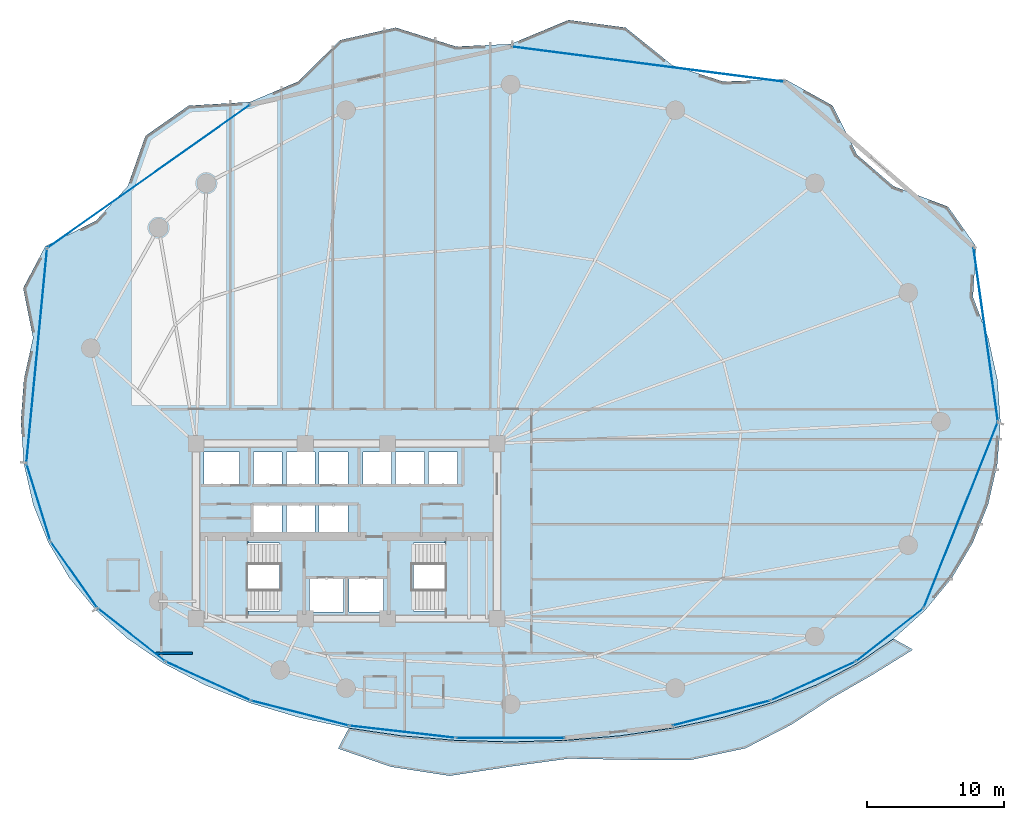
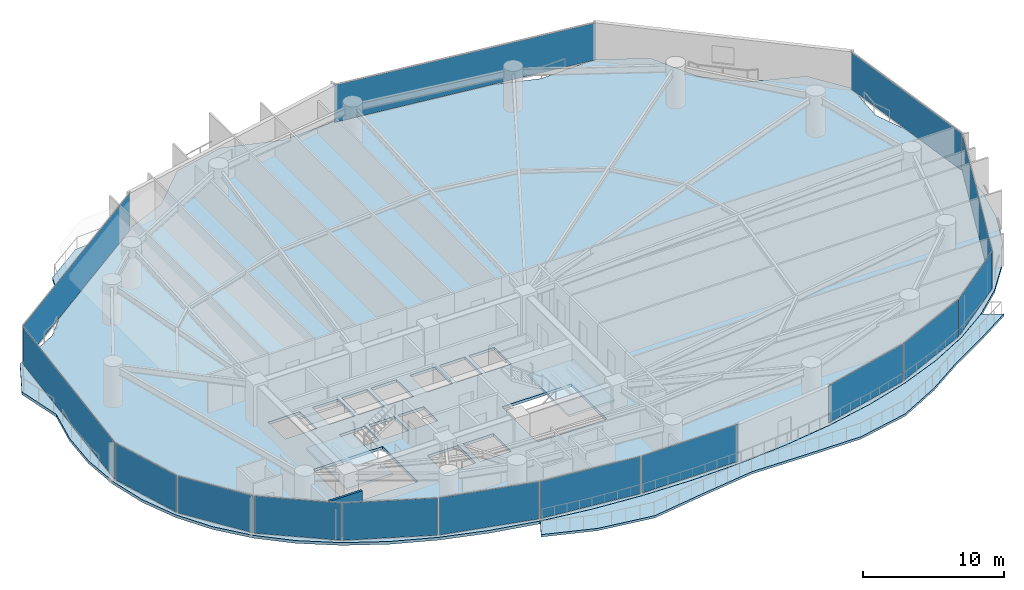
# One storey, part 24 of 32: 15 plates, 4 slabs, 1 wall, 17 elements without a shape of their own.
"""IFC4 building model written with IfcOpenShell, lengths in metres."""

from ifc_helpers import new_model, si_unit, direction, frame, frame_2d, origin, origin_2d, place, context, subcontext, project, spatial, polyline, rectangle, outline, extrude, material, layer, layer_set, type_object, element, aggregate, save


model = new_model("IFC4")

# Units and contexts
model_context = context("Model", 3, precision=1e-05, world=origin(), true_north=direction((0.0, 1.0)))
body_context = subcontext(model_context, "Body", "Model", "MODEL_VIEW")
ifc_project = project(units=[si_unit("LENGTHUNIT", "METRE"), si_unit("AREAUNIT", "SQUARE_METRE"), si_unit("VOLUMEUNIT", "CUBIC_METRE"), si_unit("PLANEANGLEUNIT", "RADIAN"), si_unit("MASSUNIT", "GRAM", prefix="KILO")], contexts=[model_context])

# Site, building, storey
site_placement = place(None, origin())
site = spatial("IfcSite", under=ifc_project, at=site_placement, CompositionType="ELEMENT")
building_placement = place(site_placement, origin())
building = spatial("IfcBuilding", under=site, at=building_placement, Name="Kazevale Care Tower and Concert Hall", CompositionType="ELEMENT")
storey_placement = place(building_placement, frame((0.0, 0.0, 42.0)))
storey = spatial("IfcBuildingStorey", under=building, at=storey_placement, Name="L10", CompositionType="ELEMENT", Elevation=42.0)

# Curtain wall, plate
ifc_material_1 = material(Name="Aluminium 6063-T6 and Low-E Glass", Category="aluminium")
ifc_layer_1 = layer(ifc_material_1, 0.179931640625)
ifc_layer_set_1 = layer_set([ifc_layer_1], Name="Aluminium 6063-T6 and Low-E Glass")
curtain_wall_type_1 = type_object("IfcCurtainWallType", Name="Convex Recessed Sunroom Curtain Wall CW-3", PredefinedType="NOTDEFINED", material=ifc_layer_set_1)
curtain_wall_1_placement = place(storey_placement, origin())
curtain_wall_1 = element("IfcCurtainWall", 1, at=curtain_wall_1_placement, inside=storey, type_object=curtain_wall_type_1, Name="cw:L10:f14", PredefinedType="NOTDEFINED")
ifc_material_2 = material(Name="Low-E Laminated Glass", Category="glass")
ifc_layer_2 = layer(ifc_material_2, 0.028076171875)
ifc_layer_set_2 = layer_set([ifc_layer_2], Name="Low-E Laminated Glass")
plate_type_1 = type_object("IfcPlateType", Name="CW-3 Low-E Glazing Panel 28mm", PredefinedType="CURTAIN_PANEL", material=ifc_layer_set_2)
plate_1_placement = place(storey_placement, frame((18.55810546875, 55.93896484375, 0.074951171875), z_axis=(0.0, 0.0, 1.0), x_axis=(0.816794332821, 0.57692895392, 0.0)))
plate_1 = element("IfcPlate", 2, at=plate_1_placement, type_object=plate_type_1, Name="CW-3 panel 1.1", PredefinedType="CURTAIN_PANEL", context=body_context, shape_type="SweptSolid", body=[
    extrude(rectangle(XDim=18.060302734375, YDim=0.028076171875, at=origin_2d()), origin(), (0.0, 0.0, 1.0), 3.2099609375),
])
aggregate(curtain_wall_1, [plate_1])

curtain_wall_2_placement = place(storey_placement, origin())
curtain_wall_2 = element("IfcCurtainWall", 3, at=curtain_wall_2_placement, inside=storey, type_object=curtain_wall_type_1, Name="cw:L10:f16", PredefinedType="NOTDEFINED")
plate_2_placement = place(storey_placement, frame((55.0400390625, 64.130615234375, 0.074951171875), z_axis=(0.0, 0.0, 1.0), x_axis=(0.991763039368, -0.128086196538, 0.0)))
plate_2 = element("IfcPlate", 4, at=plate_2_placement, type_object=plate_type_1, Name="CW-3 panel 1.1", PredefinedType="CURTAIN_PANEL", context=body_context, shape_type="SweptSolid", body=[
    extrude(rectangle(XDim=20.01611328125, YDim=0.028076171875, at=origin_2d()), origin(), (0.0, 0.0, 1.0), 3.2099609375),
])
aggregate(curtain_wall_2, [plate_2])

ifc_layer_3 = layer(ifc_material_1, 0.179931640625)
ifc_layer_set_3 = layer_set([ifc_layer_3], Name="Aluminium 6063-T6 and Low-E Glass")
curtain_wall_type_2 = type_object("IfcCurtainWallType", Name="Waist & Upper Residential Curtain Wall CW-4", PredefinedType="NOTDEFINED", material=ifc_layer_set_3)
curtain_wall_3_placement = place(storey_placement, origin())
curtain_wall_3 = element("IfcCurtainWall", 5, at=curtain_wall_3_placement, inside=storey, type_object=curtain_wall_type_2, Name="cw:L10:f01", PredefinedType="NOTDEFINED")
ifc_layer_4 = layer(ifc_material_2, 0.030029296875)
ifc_layer_set_4 = layer_set([ifc_layer_4], Name="Low-E Laminated Glass")
plate_type_2 = type_object("IfcPlateType", Name="CW-4 Low-E Glazing Panel 30mm", PredefinedType="CURTAIN_PANEL", material=ifc_layer_set_4)
plate_3_placement = place(storey_placement, frame((77.90087890625, 31.181884765625, 0.080078125), z_axis=(0.0, 0.0, 1.0), x_axis=(-0.370427424456, -0.928861412274, 0.0)))
plate_3 = element("IfcPlate", 6, at=plate_3_placement, type_object=plate_type_2, Name="CW-4 panel 1.1", PredefinedType="CURTAIN_PANEL", context=body_context, shape_type="SweptSolid", body=[
    extrude(rectangle(XDim=14.520263671875, YDim=0.030029296875, at=origin_2d()), origin(), (0.0, 0.0, 1.0), 3.199951171875),
])
aggregate(curtain_wall_3, [plate_3])

curtain_wall_4_placement = place(storey_placement, origin())
curtain_wall_4 = element("IfcCurtainWall", 7, at=curtain_wall_4_placement, inside=storey, type_object=curtain_wall_type_2, Name="cw:L10:f11", PredefinedType="NOTDEFINED")
plate_4_placement = place(storey_placement, frame((13.094482421875, 26.81103515625, 0.080078125), z_axis=(0.0, 0.0, 1.0), x_axis=(-0.575836813322, 0.817564654583, 0.0)))
plate_4 = element("IfcPlate", 8, at=plate_4_placement, type_object=plate_type_2, Name="CW-4 panel 1.1", PredefinedType="CURTAIN_PANEL", context=body_context, shape_type="SweptSolid", body=[
    extrude(rectangle(XDim=5.826171875, YDim=0.030029296875, at=origin_2d()), origin(), (0.0, 0.0, 1.0), 3.199951171875),
])
aggregate(curtain_wall_4, [plate_4])

curtain_wall_5_placement = place(storey_placement, origin())
curtain_wall_5 = element("IfcCurtainWall", 9, at=curtain_wall_5_placement, inside=storey, type_object=curtain_wall_type_2, Name="cw:L10:f12", PredefinedType="NOTDEFINED")
plate_5_placement = place(storey_placement, frame((10.487548828125, 32.10791015625, 0.080078125), z_axis=(0.0, 0.0, 1.0), x_axis=(-0.296098771112, 0.955157326175, 0.0)))
plate_5 = element("IfcPlate", 10, at=plate_5_placement, type_object=plate_type_2, Name="CW-4 panel 1.1", PredefinedType="CURTAIN_PANEL", context=body_context, shape_type="SweptSolid", body=[
    extrude(rectangle(XDim=5.8076171875, YDim=0.030029296875, at=origin_2d()), origin(), (0.0, 0.0, 1.0), 3.199951171875),
])
aggregate(curtain_wall_5, [plate_5])

curtain_wall_6_placement = place(storey_placement, origin())
curtain_wall_6 = element("IfcCurtainWall", 11, at=curtain_wall_6_placement, inside=storey, type_object=curtain_wall_type_2, Name="cw:L10:f13", PredefinedType="NOTDEFINED")
plate_6_placement = place(storey_placement, frame((10.362548828125, 42.822021484375, 0.080078125), z_axis=(0.0, 0.0, 1.0), x_axis=(0.096006644923, 0.995380693067, 0.0)))
plate_6 = element("IfcPlate", 12, at=plate_6_placement, type_object=plate_type_2, Name="CW-4 panel 1.1", PredefinedType="CURTAIN_PANEL", context=body_context, shape_type="SweptSolid", body=[
    extrude(rectangle(XDim=15.640869140625, YDim=0.030029296875, at=origin_2d()), origin(), (0.0, 0.0, 1.0), 3.199951171875),
])
aggregate(curtain_wall_6, [plate_6])

curtain_wall_7_placement = place(storey_placement, origin())
curtain_wall_7 = element("IfcCurtainWall", 13, at=curtain_wall_7_placement, inside=storey, type_object=curtain_wall_type_2, Name="cw:L10:f18", PredefinedType="NOTDEFINED")
plate_7_placement = place(storey_placement, frame((79.72412109375, 44.384521484375, 0.080078125), z_axis=(0.0, 0.0, 1.0), x_axis=(0.138977953775, -0.990295475282, 0.0)))
plate_7 = element("IfcPlate", 14, at=plate_7_placement, type_object=plate_type_2, Name="CW-4 panel 1.1", PredefinedType="CURTAIN_PANEL", context=body_context, shape_type="SweptSolid", body=[
    extrude(rectangle(XDim=12.734130859375, YDim=0.030029296875, at=origin_2d()), origin(), (0.0, 0.0, 1.0), 3.199951171875),
])
aggregate(curtain_wall_7, [plate_7])

ifc_layer_5 = layer(ifc_material_1, 0.179931640625)
ifc_layer_set_5 = layer_set([ifc_layer_5], Name="Aluminium 6063-T6 and Low-E Glass")
curtain_wall_type_3 = type_object("IfcCurtainWallType", Name="Sheltered Concave Balcony Curtain Wall CW-5", PredefinedType="NOTDEFINED", material=ifc_layer_set_5)
curtain_wall_8_placement = place(storey_placement, origin())
curtain_wall_8 = element("IfcCurtainWall", 15, at=curtain_wall_8_placement, inside=storey, type_object=curtain_wall_type_3, Name="cw:L10:f02", PredefinedType="NOTDEFINED")
ifc_layer_6 = layer(ifc_material_2, 0.02587890625)
ifc_layer_set_6 = layer_set([ifc_layer_6], Name="Low-E Laminated Glass")
plate_type_3 = type_object("IfcPlateType", Name="CW-5 Low-E Glazing Panel 26mm", PredefinedType="CURTAIN_PANEL", material=ifc_layer_set_6)
plate_8_placement = place(storey_placement, frame((72.701904296875, 22.41552734375, 0.074951171875), z_axis=(0.0, 0.0, 1.0), x_axis=(-0.78632934107, -0.617807548814, 0.0)))
plate_8 = element("IfcPlate", 16, at=plate_8_placement, type_object=plate_type_3, Name="CW-5 panel 1.1", PredefinedType="CURTAIN_PANEL", context=body_context, shape_type="SweptSolid", body=[
    extrude(rectangle(XDim=6.15771484375, YDim=0.02587890625, at=origin_2d()), origin(), (0.0, 0.0, 1.0), 3.2099609375),
])
aggregate(curtain_wall_8, [plate_8])

curtain_wall_9_placement = place(storey_placement, origin())
curtain_wall_9 = element("IfcCurtainWall", 17, at=curtain_wall_9_placement, inside=storey, type_object=curtain_wall_type_3, Name="cw:L10:f03", PredefinedType="NOTDEFINED")
plate_9_placement = place(storey_placement, frame((67.10498046875, 19.04248046875, 0.074951171875), z_axis=(0.0, 0.0, 1.0), x_axis=(-0.909520179795, -0.415659767773, 0.0)))
plate_9 = element("IfcPlate", 18, at=plate_9_placement, type_object=plate_type_3, Name="CW-5 panel 1.1", PredefinedType="CURTAIN_PANEL", context=body_context, shape_type="SweptSolid", body=[
    extrude(rectangle(XDim=6.7041015625, YDim=0.02587890625, at=origin_2d()), origin(), (0.0, 0.0, 1.0), 3.2099609375),
])
aggregate(curtain_wall_9, [plate_9])

curtain_wall_10_placement = place(storey_placement, origin())
curtain_wall_10 = element("IfcCurtainWall", 19, at=curtain_wall_10_placement, inside=storey, type_object=curtain_wall_type_3, Name="cw:L10:f04", PredefinedType="NOTDEFINED")
plate_10_placement = place(storey_placement, frame((60.389892578125, 16.699951171875, 0.074951171875), z_axis=(0.0, 0.0, 1.0), x_axis=(-0.968958899798, -0.247221864936, 0.0)))
plate_10 = element("IfcPlate", 20, at=plate_10_placement, type_object=plate_type_3, Name="CW-5 panel 1.1", PredefinedType="CURTAIN_PANEL", context=body_context, shape_type="SweptSolid", body=[
    extrude(rectangle(XDim=7.276611328125, YDim=0.02587890625, at=origin_2d()), origin(), (0.0, 0.0, 1.0), 3.2099609375),
])
aggregate(curtain_wall_10, [plate_10])

curtain_wall_11_placement = place(storey_placement, origin())
curtain_wall_11 = element("IfcCurtainWall", 21, at=curtain_wall_11_placement, inside=storey, type_object=curtain_wall_type_3, Name="cw:L10:f06", PredefinedType="NOTDEFINED")
plate_11_placement = place(storey_placement, frame((45.0, 14.889892578125, 0.074951171875), z_axis=(0.0, 0.0, 1.0), x_axis=(-1.0, 0.0, 0.0)))
plate_11 = element("IfcPlate", 22, at=plate_11_placement, type_object=plate_type_3, Name="CW-5 panel 1.1", PredefinedType="CURTAIN_PANEL", context=body_context, shape_type="SweptSolid", body=[
    extrude(rectangle(XDim=7.845947265625, YDim=0.02587890625, at=origin_2d()), origin(), (0.0, 0.0, 1.0), 3.2099609375),
])
aggregate(curtain_wall_11, [plate_11])

curtain_wall_12_placement = place(storey_placement, origin())
curtain_wall_12 = element("IfcCurtainWall", 23, at=curtain_wall_12_placement, inside=storey, type_object=curtain_wall_type_3, Name="cw:L10:f07", PredefinedType="NOTDEFINED")
plate_12_placement = place(storey_placement, frame((37.10498046875, 15.3359375, 0.074951171875), z_axis=(0.0, 0.0, 1.0), x_axis=(-0.993514581883, 0.113704773808, 0.0)))
plate_12 = element("IfcPlate", 24, at=plate_12_placement, type_object=plate_type_3, Name="CW-5 panel 1.1", PredefinedType="CURTAIN_PANEL", context=body_context, shape_type="SweptSolid", body=[
    extrude(rectangle(XDim=7.69482421875, YDim=0.02587890625, at=origin_2d()), origin(), (0.0, 0.0, 1.0), 3.2099609375),
])
aggregate(curtain_wall_12, [plate_12])

curtain_wall_13_placement = place(storey_placement, origin())
curtain_wall_13 = element("IfcCurtainWall", 25, at=curtain_wall_13_placement, inside=storey, type_object=curtain_wall_type_3, Name="cw:L10:f08", PredefinedType="NOTDEFINED")
plate_13_placement = place(storey_placement, frame((29.610107421875, 16.699951171875, 0.074951171875), z_axis=(0.0, 0.0, 1.0), x_axis=(-0.968958899798, 0.247221864936, 0.0)))
plate_13 = element("IfcPlate", 26, at=plate_13_placement, type_object=plate_type_3, Name="CW-5 panel 1.1", PredefinedType="CURTAIN_PANEL", context=body_context, shape_type="SweptSolid", body=[
    extrude(rectangle(XDim=7.276611328125, YDim=0.02587890625, at=origin_2d()), origin(), (0.0, 0.0, 1.0), 3.2099609375),
])
aggregate(curtain_wall_13, [plate_13])

curtain_wall_14_placement = place(storey_placement, origin())
curtain_wall_14 = element("IfcCurtainWall", 27, at=curtain_wall_14_placement, inside=storey, type_object=curtain_wall_type_3, Name="cw:L10:f09", PredefinedType="NOTDEFINED")
plate_14_placement = place(storey_placement, frame((22.89501953125, 19.04248046875, 0.074951171875), z_axis=(0.0, 0.0, 1.0), x_axis=(-0.909520179795, 0.415659767773, 0.0)))
plate_14 = element("IfcPlate", 28, at=plate_14_placement, type_object=plate_type_3, Name="CW-5 panel 1.1", PredefinedType="CURTAIN_PANEL", context=body_context, shape_type="SweptSolid", body=[
    extrude(rectangle(XDim=6.7041015625, YDim=0.02587890625, at=origin_2d()), origin(), (0.0, 0.0, 1.0), 3.2099609375),
])
aggregate(curtain_wall_14, [plate_14])

curtain_wall_15_placement = place(storey_placement, origin())
curtain_wall_15 = element("IfcCurtainWall", 29, at=curtain_wall_15_placement, inside=storey, type_object=curtain_wall_type_3, Name="cw:L10:f10", PredefinedType="NOTDEFINED")
plate_15_placement = place(storey_placement, frame((17.298095703125, 22.41552734375, 0.074951171875), z_axis=(0.0, 0.0, 1.0), x_axis=(-0.78632934107, 0.617807548814, 0.0)))
plate_15 = element("IfcPlate", 30, at=plate_15_placement, type_object=plate_type_3, Name="CW-5 panel 1.1", PredefinedType="CURTAIN_PANEL", context=body_context, shape_type="SweptSolid", body=[
    extrude(rectangle(XDim=6.15771484375, YDim=0.02587890625, at=origin_2d()), origin(), (0.0, 0.0, 1.0), 3.2099609375),
])
aggregate(curtain_wall_15, [plate_15])

# Slab
ifc_material_3 = material(Name="Concrete C40", Category="concrete")
ifc_layer_7 = layer(ifc_material_3, 0.199951171875)
ifc_layer_set_7 = layer_set([ifc_layer_7], Name="Concrete C40")
slab_type_1 = type_object("IfcSlabType", Name="Sinusoidal Concave Balcony Slab 200", PredefinedType="USERDEFINED", material=ifc_layer_set_7)
slab_1_placement = place(storey_placement, frame((0.0, 0.0, -0.199951171875)))
element("IfcSlab", 31, at=slab_1_placement, inside=storey, type_object=slab_type_1, Name="slab:L10:bal", ObjectType="BALCONY", PredefinedType="USERDEFINED", context=body_context, shape_type="SweptSolid", body=[
    extrude(outline(polyline([(74.402099609375, 21.343017578125), (71.4580078125, 19.512939453125), (68.442626953125, 17.780517578125), (65.516845703125, 15.861328125), (62.164306640625, 14.135498046875), (58.06201171875, 13.260498046875), (53.572509765625, 13.29638671875), (49.2373046875, 13.37939453125), (45.0, 12.801025390625), (40.54541015625, 12.117431640625), (36.2490234375, 12.7822265625), (32.38818359375, 14.11279296875), (33.173583984375, 15.6005859375), (33.175048828125, 15.600341796875), (37.033203125, 15.038818359375), (40.991455078125, 14.705322265625), (45.0, 14.594970703125), (49.008544921875, 14.705322265625), (52.966796875, 15.038818359375), (56.824951171875, 15.600341796875), (60.5341796875, 16.3984375), (64.04833984375, 17.443115234375), (67.322998046875, 18.743408203125), (70.31689453125, 20.3076171875), (72.99267578125, 22.139404296875), (72.994140625, 22.140625), (74.402099609375, 21.343017578125)])), origin(), (0.0, 0.0, 1.0), 0.199951171875),
])

# Stair, slab
stair_type = type_object("IfcStairType", Name="Exit Stair Assembly ST1-Z1", PredefinedType="HALF_TURN_STAIR", material=ifc_material_3)
stair_1_placement = place(storey_placement, origin())
stair_1 = element("IfcStair", 32, at=stair_1_placement, inside=storey, type_object=stair_type, Name="stair:L10:ST1", PredefinedType="HALF_TURN_STAIR")
ifc_layer_8 = layer(ifc_material_3, 0.199951171875)
ifc_layer_set_8 = layer_set([ifc_layer_8], Name="Concrete C40")
slab_type_2 = type_object("IfcSlabType", Name="Stair Half-Landing Slab ST1-Z1", PredefinedType="LANDING", material=ifc_layer_set_8)
slab_2_placement = place(storey_placement, frame((0.0, 0.0, 1.60009765625)))
slab_2 = element("IfcSlab", 33, at=slab_2_placement, type_object=slab_type_2, Name="ST1-Z1 landing 1", PredefinedType="LANDING", context=body_context, shape_type="SweptSolid", body=[
    extrude(outline(polyline([(22.050048828125, 23.699951171875), (25.81005859375, 23.699951171875), (25.81005859375, 29.5), (22.050048828125, 29.5), (22.050048828125, 23.699951171875)])), origin(), (0.0, 0.0, 1.0), 0.199951171875),
])
aggregate(stair_1, [slab_2])

stair_2_placement = place(storey_placement, origin())
stair_2 = element("IfcStair", 34, at=stair_2_placement, inside=storey, type_object=stair_type, Name="stair:L10:ST2", PredefinedType="HALF_TURN_STAIR")
slab_3_placement = place(storey_placement, frame((0.0, 0.0, 1.60009765625)))
slab_3 = element("IfcSlab", 35, at=slab_3_placement, type_object=slab_type_2, Name="ST1-Z1 landing 1", PredefinedType="LANDING", context=body_context, shape_type="SweptSolid", body=[
    extrude(outline(polyline([(40.18994140625, 23.699951171875), (43.949951171875, 23.699951171875), (43.949951171875, 29.5), (40.18994140625, 29.5), (40.18994140625, 23.699951171875)])), origin(), (0.0, 0.0, 1.0), 0.199951171875),
])
aggregate(stair_2, [slab_3])

# Slab
ifc_layer_9 = layer(ifc_material_3, 0.239990234375)
ifc_layer_set_9 = layer_set([ifc_layer_9], Name="Concrete C40")
slab_type_3 = type_object("IfcSlabType", Name="Tower Typical Floor Slab 240", PredefinedType="FLOOR", material=ifc_layer_set_9)
slab_4_placement = place(storey_placement, frame((0.0, 0.0, -0.239990234375)))
element("IfcSlab", 36, at=slab_4_placement, inside=storey, type_object=slab_type_3, Name="slab:L10:tw:1", PredefinedType="FLOOR", context=body_context, shape_type="SweptSolid", body=[
    extrude(outline(polyline([(80.800048828125, 38.0), (80.574951171875, 41.090087890625), (79.90234375, 44.1416015625), (78.791015625, 47.11572265625), (79.01171875, 50.8212890625), (76.9638671875, 53.721435546875), (72.989501953125, 55.208251953125), (70.314453125, 57.51611328125), (68.53662109375, 61.10302734375), (65.084228515625, 63.020751953125), (60.532958984375, 62.86669921875), (56.823974609375, 64.05126953125), (53.400146484375, 66.80908203125), (49.226806640625, 67.3642578125), (45.0, 65.60009765625), (40.99169921875, 65.426513671875), (36.599853515625, 66.80908203125), (32.531982421875, 65.891845703125), (29.467041015625, 62.86669921875), (25.953369140625, 61.36962890625), (21.46337890625, 61.10302734375), (18.306640625, 58.89501953125), (17.010498046875, 55.208251953125), (14.687255859375, 52.68408203125), (10.98828125, 50.8212890625), (9.368408203125, 47.759765625), (10.09765625, 44.1416015625), (9.425048828125, 41.090087890625), (9.199951171875, 38.0), (9.425048828125, 34.931640625), (10.09765625, 31.972412109375), (11.208984375, 29.178466796875), (12.745361328125, 26.591064453125), (14.687255859375, 24.239501953125), (17.010498046875, 22.143310546875), (19.685546875, 20.31201171875), (22.67919921875, 18.748046875), (25.953369140625, 17.44775390625), (29.467041015625, 16.4033203125), (33.176025390625, 15.605224609375), (37.03369140625, 15.043701171875), (40.99169921875, 14.71044921875), (45.0, 14.60009765625), (49.00830078125, 14.71044921875), (52.96630859375, 15.043701171875), (56.823974609375, 15.605224609375), (60.532958984375, 16.4033203125), (64.046630859375, 17.44775390625), (67.32080078125, 18.748046875), (70.314453125, 20.31201171875), (72.989501953125, 22.143310546875), (75.312744140625, 24.239501953125), (77.254638671875, 26.591064453125), (78.791015625, 29.178466796875), (79.90234375, 31.972412109375), (80.574951171875, 34.931640625), (80.800048828125, 38.0)]), holes=[polyline([(22.449951171875, 24.14990234375), (28.110107421875, 24.14990234375), (28.110107421875, 29.14990234375), (22.449951171875, 29.14990234375), (22.449951171875, 24.14990234375)]), polyline([(37.889892578125, 24.14990234375), (43.550048828125, 24.14990234375), (43.550048828125, 29.14990234375), (37.889892578125, 29.14990234375), (37.889892578125, 24.14990234375)]), polyline([(30.300048828125, 24.10009765625), (32.800048828125, 24.10009765625), (32.800048828125, 26.60009765625), (30.300048828125, 26.60009765625), (30.300048828125, 24.10009765625)]), polyline([(33.199951171875, 24.10009765625), (35.699951171875, 24.10009765625), (35.699951171875, 26.60009765625), (33.199951171875, 26.60009765625), (33.199951171875, 24.10009765625)]), polyline([(22.60009765625, 33.39990234375), (25.199951171875, 33.39990234375), (25.199951171875, 35.800048828125), (22.60009765625, 35.800048828125), (22.60009765625, 33.39990234375)]), polyline([(26.199951171875, 33.39990234375), (28.300048828125, 33.39990234375), (28.300048828125, 35.800048828125), (26.199951171875, 35.800048828125), (26.199951171875, 33.39990234375)]), polyline([(28.60009765625, 33.39990234375), (30.699951171875, 33.39990234375), (30.699951171875, 35.800048828125), (28.60009765625, 35.800048828125), (28.60009765625, 33.39990234375)]), polyline([(31.0, 33.39990234375), (33.10009765625, 33.39990234375), (33.10009765625, 35.800048828125), (31.0, 35.800048828125), (31.0, 33.39990234375)]), polyline([(34.199951171875, 33.39990234375), (36.300048828125, 33.39990234375), (36.300048828125, 35.800048828125), (34.199951171875, 35.800048828125), (34.199951171875, 33.39990234375)]), polyline([(36.60009765625, 33.39990234375), (38.699951171875, 33.39990234375), (38.699951171875, 35.800048828125), (36.60009765625, 35.800048828125), (36.60009765625, 33.39990234375)]), polyline([(39.0, 33.39990234375), (41.10009765625, 33.39990234375), (41.10009765625, 35.800048828125), (39.0, 35.800048828125), (39.0, 33.39990234375)]), polyline([(26.199951171875, 29.949951171875), (28.300048828125, 29.949951171875), (28.300048828125, 31.949951171875), (26.199951171875, 31.949951171875), (26.199951171875, 29.949951171875)]), polyline([(28.60009765625, 29.949951171875), (30.699951171875, 29.949951171875), (30.699951171875, 31.949951171875), (28.60009765625, 31.949951171875), (28.60009765625, 29.949951171875)]), polyline([(31.0, 29.949951171875), (33.10009765625, 29.949951171875), (33.10009765625, 31.949951171875), (31.0, 31.949951171875), (31.0, 29.949951171875)])]), origin(), (0.0, 0.0, 1.0), 0.239990234375),
])

# Wall
ifc_material_4 = material(Name="Concrete C40 and Acoustic Gypsum", Category="concrete")
ifc_layer_10 = layer(ifc_material_4, 0.179931640625)
ifc_layer_set_10 = layer_set([ifc_layer_10], Name="Concrete C40 and Acoustic Gypsum")
wall_type = type_object("IfcWallType", Name="Fire-Rated Corridor & Party Wall 180", PredefinedType="PARTITIONING", material=ifc_layer_set_10)
wall_placement = place(storey_placement, frame((21.739990234375, 21.074951171875, 0.0), z_axis=(0.0, 0.0, 1.0), x_axis=(-1.0, 0.0, 0.0)))
element("IfcWall", 37, at=wall_placement, inside=storey, type_object=wall_type, Name="wall:L10:auto_018", PredefinedType="PARTITIONING", context=body_context, shape_type="SweptSolid", body=[
    extrude(rectangle(XDim=2.64501953125, YDim=0.179931640625, at=frame_2d((1.322509765625, 0.0))), origin(), (0.0, 0.0, 1.0), 3.360107421875),
])

save(model, "model.ifc")
